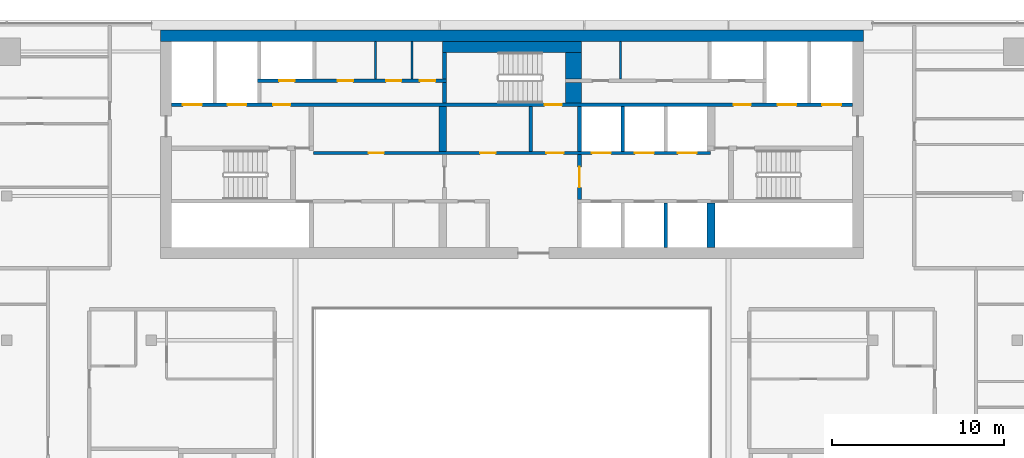
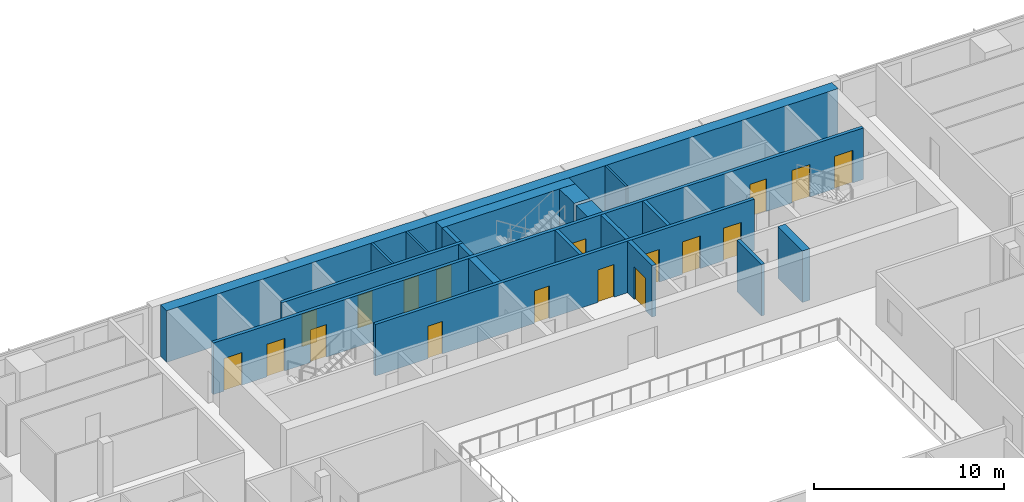
# One storey, part 22 of 29: 19 walls, 18 doors, 18 openings.
"""IFC4 building model written with IfcOpenShell, lengths in metres."""

from ifc_helpers import new_model, si_unit, direction, frame, frame_2d, origin, place, context, subcontext, project, spatial, rectangle, extrude, material, layer, layer_set, type_object, element, fill, save


model = new_model("IFC4")

# Units and contexts
model_context = context("Model", 3, precision=1e-05, world=origin(), true_north=direction((0.0, 1.0)))
body_context = subcontext(model_context, "Body", "Model", "MODEL_VIEW")
ifc_project = project(units=[si_unit("LENGTHUNIT", "METRE"), si_unit("AREAUNIT", "SQUARE_METRE"), si_unit("VOLUMEUNIT", "CUBIC_METRE"), si_unit("PLANEANGLEUNIT", "RADIAN"), si_unit("MASSUNIT", "GRAM", prefix="KILO")], contexts=[model_context])

# Site, building, storey
site_placement = place(None, origin())
site = spatial("IfcSite", under=ifc_project, at=site_placement, CompositionType="ELEMENT")
building_placement = place(site_placement, origin())
building = spatial("IfcBuilding", under=site, at=building_placement, Name="Saffron Gate Tower", CompositionType="ELEMENT")
storey_placement = place(building_placement, frame((0.0, 0.0, 219.89990234375)))
storey = spatial("IfcBuildingStorey", under=building, at=storey_placement, Name="L53", CompositionType="ELEMENT", Elevation=219.89990234375)

# Wall
ifc_material_1 = material(Name="Gypsum board partition on steel studs", Category="steel")
ifc_layer_1 = layer(ifc_material_1, 0.199951171875)
ifc_layer_set_1 = layer_set([ifc_layer_1], Name="CW10 Core partition 200")
wall_type_1 = type_object("IfcWallType", Name="CW10 Core partition 200", PredefinedType="PARTITIONING", material=ifc_layer_set_1)
wall_1_placement = place(storey_placement, frame((88.699951171875, 68.0, 0.0), z_axis=(0.0, 0.0, 1.0), x_axis=(0.0, 1.0, 0.0)))
element("IfcWall", 1, at=wall_1_placement, inside=storey, type_object=wall_type_1, Name="Wall CW10-L53-21", PredefinedType="PARTITIONING", context=body_context, shape_type="SweptSolid", body=[
    extrude(rectangle(XDim=2.60009765625, YDim=0.199951171875, at=frame_2d((1.300048828125, 0.0))), origin(), (0.0, 0.0, 1.0), 3.320068359375),
])

# Wall, opening, door
ifc_material_2 = material(Name="Concrete C60", Category="concrete")
ifc_layer_2 = layer(ifc_material_2, 0.25)
ifc_layer_set_2 = layer_set([ifc_layer_2], Name="CW14 RC core wall 250 C60")
wall_type_2 = type_object("IfcWallType", Name="CW14 RC core wall 250 C60", PredefinedType="SOLIDWALL", material=ifc_layer_set_2)
wall_2_placement = place(storey_placement, frame((91.52490234375, 65.199951171875, 0.0), z_axis=(0.0, 0.0, 1.0), x_axis=(0.0, 1.0, 0.0)))
wall_2 = element("IfcWall", 2, at=wall_2_placement, inside=storey, type_object=wall_type_2, Name="Wall CW14-L53-17", PredefinedType="SOLIDWALL", context=body_context, shape_type="SweptSolid", body=[
    extrude(rectangle(XDim=2.60009765625, YDim=0.25, at=frame_2d((1.300048828125, 0.0))), origin(), (0.0, 0.0, 1.0), 3.320068359375),
])
opening_1_placement = place(wall_2_placement, frame((0.699951171875, 0.0, 0.0)))
opening_1 = element("IfcOpeningElement", 3, at=opening_1_placement, cuts=wall_2, Name="Opening CR-01", PredefinedType="OPENING", context=body_context, shape_type="SweptSolid", body=[
    extrude(rectangle(XDim=1.199951171875, YDim=2.10009765625, at=frame_2d((0.60009765625, 1.050048828125))), frame((0.0, 0.135009765625, 0.0), z_axis=(0.0, -1.0, 0.0), x_axis=(1.0, 0.0, 0.0)), (0.0, 0.0, 1.0), 0.27001953125),
])
ifc_material_3 = material(Name="Steel fire door set", Category="steel")
door_type_1 = type_object("IfcDoorType", Name="CD3 Lobby door 1200x2100 EI 120", OperationType="NOTDEFINED", PredefinedType="DOOR", material=ifc_material_3)
door_1_placement = place(opening_1_placement, origin())
door_1 = element("IfcDoor", 4, at=door_1_placement, inside=storey, type_object=door_type_1, Name="DOOR CR-01", OperationType="SINGLE_SWING_RIGHT", OverallHeight=2.10009765625, OverallWidth=1.199951171875, PredefinedType="DOOR", context=body_context, shape_type="SweptSolid", body=[
    extrude(rectangle(XDim=1.199951171875, YDim=2.10009765625, at=frame_2d((0.60009765625, 1.050048828125))), frame((0.0, 0.02490234375, 0.0), z_axis=(0.0, -1.0, 0.0), x_axis=(1.0, 0.0, 0.0)), (0.0, 0.0, 1.0), 0.050048828125),
])
fill(opening_1, door_1)

# Walls
wall_3_placement = place(storey_placement, frame((91.52490234375, 68.0, 0.0), z_axis=(0.0, 0.0, 1.0), x_axis=(0.0, 1.0, 0.0)))
element("IfcWall", 5, at=wall_3_placement, inside=storey, type_object=wall_type_2, Name="Wall CW14-L53-22", PredefinedType="SOLIDWALL", context=body_context, shape_type="SweptSolid", body=[
    extrude(rectangle(XDim=2.60009765625, YDim=0.25, at=frame_2d((1.300048828125, 0.0))), origin(), (0.0, 0.0, 1.0), 3.320068359375),
])
wall_4_placement = place(storey_placement, frame((83.675048828125, 70.800048828125, 0.0), z_axis=(0.0, 0.0, 1.0), x_axis=(0.0, 1.0, 0.0)))
element("IfcWall", 6, at=wall_4_placement, inside=storey, type_object=wall_type_2, Name="Wall CW14-L53-33", PredefinedType="SOLIDWALL", context=body_context, shape_type="SweptSolid", body=[
    extrude(rectangle(XDim=1.199951171875, YDim=0.25, at=frame_2d((0.60009765625, 0.0))), origin(), (0.0, 0.0, 1.0), 3.320068359375),
])
wall_5_placement = place(storey_placement, frame((83.675048828125, 72.199951171875, 0.0), z_axis=(0.0, 0.0, 1.0), x_axis=(0.0, 1.0, 0.0)))
element("IfcWall", 7, at=wall_5_placement, inside=storey, type_object=wall_type_2, Name="Wall CW14-L53-43", PredefinedType="SOLIDWALL", context=body_context, shape_type="SweptSolid", body=[
    extrude(rectangle(XDim=1.550048828125, YDim=0.25, at=frame_2d((0.77490234375, 0.0))), origin(), (0.0, 0.0, 1.0), 3.320068359375),
])
ifc_layer_3 = layer(ifc_material_2, 0.199951171875)
ifc_layer_set_3 = layer_set([ifc_layer_3], Name="CW15 RC core wall 200 C60")
wall_type_3 = type_object("IfcWallType", Name="CW15 RC core wall 200 C60", PredefinedType="SOLIDWALL", material=ifc_layer_set_3)
wall_6_placement = place(storey_placement, frame((96.550048828125, 62.39990234375, 0.0), z_axis=(0.0, 0.0, 1.0), x_axis=(0.0, 1.0, 0.0)))
element("IfcWall", 8, at=wall_6_placement, inside=storey, type_object=wall_type_3, Name="Wall CW15-L53-11", PredefinedType="SOLIDWALL", context=body_context, shape_type="SweptSolid", body=[
    extrude(rectangle(XDim=2.60009765625, YDim=0.199951171875, at=frame_2d((1.300048828125, 0.0))), origin(), (0.0, 0.0, 1.0), 3.320068359375),
])

# Wall, openings, doors
wall_7_placement = place(storey_placement, frame((76.050048828125, 67.89990234375, 0.0), z_axis=(0.0, 0.0, 1.0), x_axis=(1.0, 0.0, 0.0)))
wall_7 = element("IfcWall", 9, at=wall_7_placement, inside=storey, type_object=wall_type_3, Name="Wall CW15-L53-19", PredefinedType="SOLIDWALL", context=body_context, shape_type="SweptSolid", body=[
    extrude(rectangle(XDim=23.099853515625, YDim=0.199951171875, at=frame_2d((11.5498046875, 0.0))), origin(), (0.0, 0.0, 1.0), 3.320068359375),
])
opening_2_placement = place(wall_7_placement, frame((3.199951171875, 0.0, 0.0)))
opening_2 = element("IfcOpeningElement", 10, at=opening_2_placement, cuts=wall_7, Name="Opening CR-61", PredefinedType="OPENING", context=body_context, shape_type="SweptSolid", body=[
    extrude(rectangle(XDim=0.89990234375, YDim=2.10009765625, at=frame_2d((0.449951171875, 1.050048828125))), frame((0.0, 0.10986328125, 0.0), z_axis=(0.0, -1.0, 0.0), x_axis=(1.0, 0.0, 0.0)), (0.0, 0.0, 1.0), 0.219970703125),
])
opening_3_placement = place(wall_7_placement, frame((9.699951171875, 0.0, 0.0)))
opening_3 = element("IfcOpeningElement", 11, at=opening_3_placement, cuts=wall_7, Name="Opening CR-67", PredefinedType="OPENING", context=body_context, shape_type="SweptSolid", body=[
    extrude(rectangle(XDim=0.89990234375, YDim=2.10009765625, at=frame_2d((0.449951171875, 1.050048828125))), frame((0.0, 0.10986328125, 0.0), z_axis=(0.0, -1.0, 0.0), x_axis=(1.0, 0.0, 0.0)), (0.0, 0.0, 1.0), 0.219970703125),
])
opening_4_placement = place(wall_7_placement, frame((13.550048828125, 0.0, 0.0)))
opening_4 = element("IfcOpeningElement", 12, at=opening_4_placement, cuts=wall_7, Name="Opening CR-02", PredefinedType="OPENING", context=body_context, shape_type="SweptSolid", body=[
    extrude(rectangle(XDim=1.0, YDim=2.10009765625, at=frame_2d((0.5, 1.050048828125))), frame((0.0, 0.10986328125, 0.0), z_axis=(0.0, -1.0, 0.0), x_axis=(1.0, 0.0, 0.0)), (0.0, 0.0, 1.0), 0.219970703125),
])
opening_5_placement = place(wall_7_placement, frame((16.199951171875, 0.0, 0.0)))
opening_5 = element("IfcOpeningElement", 13, at=opening_5_placement, cuts=wall_7, Name="Opening LD-HR4", PredefinedType="OPENING", context=body_context, shape_type="SweptSolid", body=[
    extrude(rectangle(XDim=1.10009765625, YDim=2.10009765625, at=frame_2d((0.550048828125, 1.050048828125))), frame((0.0, 0.10986328125, 0.0), z_axis=(0.0, -1.0, 0.0), x_axis=(1.0, 0.0, 0.0)), (0.0, 0.0, 1.0), 0.219970703125),
])
opening_6_placement = place(wall_7_placement, frame((18.699951171875, 0.0, 0.0)))
opening_6 = element("IfcOpeningElement", 14, at=opening_6_placement, cuts=wall_7, Name="Opening LD-HR5", PredefinedType="OPENING", context=body_context, shape_type="SweptSolid", body=[
    extrude(rectangle(XDim=1.10009765625, YDim=2.10009765625, at=frame_2d((0.550048828125, 1.050048828125))), frame((0.0, 0.10986328125, 0.0), z_axis=(0.0, -1.0, 0.0), x_axis=(1.0, 0.0, 0.0)), (0.0, 0.0, 1.0), 0.219970703125),
])
opening_7_placement = place(wall_7_placement, frame((21.199951171875, 0.0, 0.0)))
opening_7 = element("IfcOpeningElement", 15, at=opening_7_placement, cuts=wall_7, Name="Opening LD-HR6", PredefinedType="OPENING", context=body_context, shape_type="SweptSolid", body=[
    extrude(rectangle(XDim=1.10009765625, YDim=2.10009765625, at=frame_2d((0.550048828125, 1.050048828125))), frame((0.0, 0.10986328125, 0.0), z_axis=(0.0, -1.0, 0.0), x_axis=(1.0, 0.0, 0.0)), (0.0, 0.0, 1.0), 0.219970703125),
])
door_type_2 = type_object("IfcDoorType", Name="CD4 Lobby door 1000x2100 EI 120", OperationType="NOTDEFINED", PredefinedType="DOOR", material=ifc_material_3)
door_2_placement = place(opening_4_placement, origin())
door_2 = element("IfcDoor", 16, at=door_2_placement, inside=storey, type_object=door_type_2, Name="DOOR CR-02", OperationType="SINGLE_SWING_LEFT", OverallHeight=2.10009765625, OverallWidth=1.0, PredefinedType="DOOR", context=body_context, shape_type="SweptSolid", body=[
    extrude(rectangle(XDim=1.0, YDim=2.10009765625, at=frame_2d((0.5, 1.050048828125))), frame((0.0, 0.02490234375, 0.0), z_axis=(0.0, -1.0, 0.0), x_axis=(1.0, 0.0, 0.0)), (0.0, 0.0, 1.0), 0.050048828125),
])
fill(opening_4, door_2)
door_type_3 = type_object("IfcDoorType", Name="CD9 Room door 900x2100 EI 60", OperationType="NOTDEFINED", PredefinedType="DOOR", material=ifc_material_3)
door_3_placement = place(opening_2_placement, origin())
door_3 = element("IfcDoor", 17, at=door_3_placement, inside=storey, type_object=door_type_3, Name="DOOR CR-61", OperationType="SINGLE_SWING_LEFT", OverallHeight=2.10009765625, OverallWidth=0.89990234375, PredefinedType="DOOR", context=body_context, shape_type="SweptSolid", body=[
    extrude(rectangle(XDim=0.89990234375, YDim=2.10009765625, at=frame_2d((0.449951171875, 1.050048828125))), frame((0.0, 0.02490234375, 0.0), z_axis=(0.0, -1.0, 0.0), x_axis=(1.0, 0.0, 0.0)), (0.0, 0.0, 1.0), 0.050048828125),
])
fill(opening_2, door_3)
door_4_placement = place(opening_3_placement, origin())
door_4 = element("IfcDoor", 18, at=door_4_placement, inside=storey, type_object=door_type_3, Name="DOOR CR-67", OperationType="SINGLE_SWING_LEFT", OverallHeight=2.10009765625, OverallWidth=0.89990234375, PredefinedType="DOOR", context=body_context, shape_type="SweptSolid", body=[
    extrude(rectangle(XDim=0.89990234375, YDim=2.10009765625, at=frame_2d((0.449951171875, 1.050048828125))), frame((0.0, 0.02490234375, 0.0), z_axis=(0.0, -1.0, 0.0), x_axis=(1.0, 0.0, 0.0)), (0.0, 0.0, 1.0), 0.050048828125),
])
fill(opening_3, door_4)
ifc_material_4 = material(Name="Stainless steel landing door", Category="steel")
door_type_4 = type_object("IfcDoorType", Name="LD Lift landing door 1100x2100 EI 120", OperationType="SLIDING_TO_LEFT", PredefinedType="DOOR", material=ifc_material_4)
door_5_placement = place(opening_5_placement, origin())
door_5 = element("IfcDoor", 19, at=door_5_placement, inside=storey, type_object=door_type_4, Name="LANDING DOOR LD-HR4", OperationType="SLIDING_TO_RIGHT", OverallHeight=2.10009765625, OverallWidth=1.10009765625, PredefinedType="DOOR", context=body_context, shape_type="SweptSolid", body=[
    extrude(rectangle(XDim=1.10009765625, YDim=2.10009765625, at=frame_2d((0.550048828125, 1.050048828125))), frame((0.0, 0.02490234375, 0.0), z_axis=(0.0, -1.0, 0.0), x_axis=(1.0, 0.0, 0.0)), (0.0, 0.0, 1.0), 0.050048828125),
])
fill(opening_5, door_5)
door_6_placement = place(opening_6_placement, origin())
door_6 = element("IfcDoor", 20, at=door_6_placement, inside=storey, type_object=door_type_4, Name="LANDING DOOR LD-HR5", OperationType="SLIDING_TO_RIGHT", OverallHeight=2.10009765625, OverallWidth=1.10009765625, PredefinedType="DOOR", context=body_context, shape_type="SweptSolid", body=[
    extrude(rectangle(XDim=1.10009765625, YDim=2.10009765625, at=frame_2d((0.550048828125, 1.050048828125))), frame((0.0, 0.02490234375, 0.0), z_axis=(0.0, -1.0, 0.0), x_axis=(1.0, 0.0, 0.0)), (0.0, 0.0, 1.0), 0.050048828125),
])
fill(opening_6, door_6)
door_7_placement = place(opening_7_placement, origin())
door_7 = element("IfcDoor", 21, at=door_7_placement, inside=storey, type_object=door_type_4, Name="LANDING DOOR LD-HR6", OperationType="SLIDING_TO_RIGHT", OverallHeight=2.10009765625, OverallWidth=1.10009765625, PredefinedType="DOOR", context=body_context, shape_type="SweptSolid", body=[
    extrude(rectangle(XDim=1.10009765625, YDim=2.10009765625, at=frame_2d((0.550048828125, 1.050048828125))), frame((0.0, 0.02490234375, 0.0), z_axis=(0.0, -1.0, 0.0), x_axis=(1.0, 0.0, 0.0)), (0.0, 0.0, 1.0), 0.050048828125),
])
fill(opening_7, door_7)

# Wall
wall_8_placement = place(storey_placement, frame((94.050048828125, 68.0, 0.0), z_axis=(0.0, 0.0, 1.0), x_axis=(0.0, 1.0, 0.0)))
element("IfcWall", 22, at=wall_8_placement, inside=storey, type_object=wall_type_3, Name="Wall CW15-L53-23", PredefinedType="SOLIDWALL", context=body_context, shape_type="SweptSolid", body=[
    extrude(rectangle(XDim=2.60009765625, YDim=0.199951171875, at=frame_2d((1.300048828125, 0.0))), origin(), (0.0, 0.0, 1.0), 3.320068359375),
])

# Wall, openings, doors
wall_9_placement = place(storey_placement, frame((67.800048828125, 70.699951171875, 0.0), z_axis=(0.0, 0.0, 1.0), x_axis=(1.0, 0.0, 0.0)))
wall_9 = element("IfcWall", 23, at=wall_9_placement, inside=storey, type_object=wall_type_3, Name="Wall CW15-L53-30", PredefinedType="SOLIDWALL", context=body_context, shape_type="SweptSolid", body=[
    extrude(rectangle(XDim=39.599853515625, YDim=0.199951171875, at=frame_2d((19.7998046875, 0.0))), origin(), (0.0, 0.0, 1.0), 3.320068359375),
])
opening_8_placement = place(wall_9_placement, frame((0.64990234375, 0.0, 0.0)))
opening_8 = element("IfcOpeningElement", 24, at=opening_8_placement, cuts=wall_9, Name="Opening LD-FF1", PredefinedType="OPENING", context=body_context, shape_type="SweptSolid", body=[
    extrude(rectangle(XDim=1.10009765625, YDim=2.10009765625, at=frame_2d((0.550048828125, 1.050048828125))), frame((0.0, 0.10986328125, 0.0), z_axis=(0.0, -1.0, 0.0), x_axis=(1.0, 0.0, 0.0)), (0.0, 0.0, 1.0), 0.219970703125),
])
opening_9_placement = place(wall_9_placement, frame((3.25, 0.0, 0.0)))
opening_9 = element("IfcOpeningElement", 25, at=opening_9_placement, cuts=wall_9, Name="Opening LD-SV1", PredefinedType="OPENING", context=body_context, shape_type="SweptSolid", body=[
    extrude(rectangle(XDim=1.10009765625, YDim=2.10009765625, at=frame_2d((0.550048828125, 1.050048828125))), frame((0.0, 0.10986328125, 0.0), z_axis=(0.0, -1.0, 0.0), x_axis=(1.0, 0.0, 0.0)), (0.0, 0.0, 1.0), 0.219970703125),
])
opening_10_placement = place(wall_9_placement, frame((5.89990234375, 0.0, 0.0)))
opening_10 = element("IfcOpeningElement", 26, at=opening_10_placement, cuts=wall_9, Name="Opening CR-03", PredefinedType="OPENING", context=body_context, shape_type="SweptSolid", body=[
    extrude(rectangle(XDim=1.0, YDim=2.10009765625, at=frame_2d((0.5, 1.050048828125))), frame((0.0, 0.10986328125, 0.0), z_axis=(0.0, -1.0, 0.0), x_axis=(1.0, 0.0, 0.0)), (0.0, 0.0, 1.0), 0.219970703125),
])
opening_11_placement = place(wall_9_placement, frame((21.699951171875, 0.0, 0.0)))
opening_11 = element("IfcOpeningElement", 27, at=opening_11_placement, cuts=wall_9, Name="Opening CR-17", PredefinedType="OPENING", context=body_context, shape_type="SweptSolid", body=[
    extrude(rectangle(XDim=1.0, YDim=2.10009765625, at=frame_2d((0.5, 1.050048828125))), frame((0.0, 0.10986328125, 0.0), z_axis=(0.0, -1.0, 0.0), x_axis=(1.0, 0.0, 0.0)), (0.0, 0.0, 1.0), 0.219970703125),
])
opening_12_placement = place(wall_9_placement, frame((32.699951171875, 0.0, 0.0)))
opening_12 = element("IfcOpeningElement", 28, at=opening_12_placement, cuts=wall_9, Name="Opening CR-04", PredefinedType="OPENING", context=body_context, shape_type="SweptSolid", body=[
    extrude(rectangle(XDim=1.0, YDim=2.10009765625, at=frame_2d((0.5, 1.050048828125))), frame((0.0, 0.10986328125, 0.0), z_axis=(0.0, -1.0, 0.0), x_axis=(1.0, 0.0, 0.0)), (0.0, 0.0, 1.0), 0.219970703125),
])
opening_13_placement = place(wall_9_placement, frame((35.25, 0.0, 0.0)))
opening_13 = element("IfcOpeningElement", 29, at=opening_13_placement, cuts=wall_9, Name="Opening LD-SV2", PredefinedType="OPENING", context=body_context, shape_type="SweptSolid", body=[
    extrude(rectangle(XDim=1.10009765625, YDim=2.10009765625, at=frame_2d((0.550048828125, 1.050048828125))), frame((0.0, 0.10986328125, 0.0), z_axis=(0.0, -1.0, 0.0), x_axis=(1.0, 0.0, 0.0)), (0.0, 0.0, 1.0), 0.219970703125),
])
opening_14_placement = place(wall_9_placement, frame((37.85009765625, 0.0, 0.0)))
opening_14 = element("IfcOpeningElement", 30, at=opening_14_placement, cuts=wall_9, Name="Opening LD-FF2", PredefinedType="OPENING", context=body_context, shape_type="SweptSolid", body=[
    extrude(rectangle(XDim=1.10009765625, YDim=2.10009765625, at=frame_2d((0.550048828125, 1.050048828125))), frame((0.0, 0.10986328125, 0.0), z_axis=(0.0, -1.0, 0.0), x_axis=(1.0, 0.0, 0.0)), (0.0, 0.0, 1.0), 0.219970703125),
])
door_8_placement = place(opening_10_placement, origin())
door_8 = element("IfcDoor", 31, at=door_8_placement, inside=storey, type_object=door_type_2, Name="DOOR CR-03", OperationType="SINGLE_SWING_LEFT", OverallHeight=2.10009765625, OverallWidth=1.0, PredefinedType="DOOR", context=body_context, shape_type="SweptSolid", body=[
    extrude(rectangle(XDim=1.0, YDim=2.10009765625, at=frame_2d((0.5, 1.050048828125))), frame((0.0, 0.02490234375, 0.0), z_axis=(0.0, -1.0, 0.0), x_axis=(1.0, 0.0, 0.0)), (0.0, 0.0, 1.0), 0.050048828125),
])
fill(opening_10, door_8)
door_9_placement = place(opening_12_placement, origin())
door_9 = element("IfcDoor", 32, at=door_9_placement, inside=storey, type_object=door_type_2, Name="DOOR CR-04", OperationType="SINGLE_SWING_RIGHT", OverallHeight=2.10009765625, OverallWidth=1.0, PredefinedType="DOOR", context=body_context, shape_type="SweptSolid", body=[
    extrude(rectangle(XDim=1.0, YDim=2.10009765625, at=frame_2d((0.5, 1.050048828125))), frame((0.0, 0.02490234375, 0.0), z_axis=(0.0, -1.0, 0.0), x_axis=(1.0, 0.0, 0.0)), (0.0, 0.0, 1.0), 0.050048828125),
])
fill(opening_12, door_9)
door_type_5 = type_object("IfcDoorType", Name="CD5 Stair door 1000x2100 EI 120", OperationType="NOTDEFINED", PredefinedType="DOOR", material=ifc_material_3)
door_10_placement = place(opening_11_placement, origin())
door_10 = element("IfcDoor", 33, at=door_10_placement, inside=storey, type_object=door_type_5, Name="DOOR CR-17", OperationType="SINGLE_SWING_RIGHT", OverallHeight=2.10009765625, OverallWidth=1.0, PredefinedType="DOOR", context=body_context, shape_type="SweptSolid", body=[
    extrude(rectangle(XDim=1.0, YDim=2.10009765625, at=frame_2d((0.5, 1.050048828125))), frame((0.0, 0.02490234375, 0.0), z_axis=(0.0, -1.0, 0.0), x_axis=(1.0, 0.0, 0.0)), (0.0, 0.0, 1.0), 0.050048828125),
])
fill(opening_11, door_10)
door_11_placement = place(opening_8_placement, origin())
door_11 = element("IfcDoor", 34, at=door_11_placement, inside=storey, type_object=door_type_4, Name="LANDING DOOR LD-FF1", OperationType="SLIDING_TO_RIGHT", OverallHeight=2.10009765625, OverallWidth=1.10009765625, PredefinedType="DOOR", context=body_context, shape_type="SweptSolid", body=[
    extrude(rectangle(XDim=1.10009765625, YDim=2.10009765625, at=frame_2d((0.550048828125, 1.050048828125))), frame((0.0, 0.02490234375, 0.0), z_axis=(0.0, -1.0, 0.0), x_axis=(1.0, 0.0, 0.0)), (0.0, 0.0, 1.0), 0.050048828125),
])
fill(opening_8, door_11)
door_12_placement = place(opening_9_placement, origin())
door_12 = element("IfcDoor", 35, at=door_12_placement, inside=storey, type_object=door_type_4, Name="LANDING DOOR LD-SV1", OperationType="SLIDING_TO_RIGHT", OverallHeight=2.10009765625, OverallWidth=1.10009765625, PredefinedType="DOOR", context=body_context, shape_type="SweptSolid", body=[
    extrude(rectangle(XDim=1.10009765625, YDim=2.10009765625, at=frame_2d((0.550048828125, 1.050048828125))), frame((0.0, 0.02490234375, 0.0), z_axis=(0.0, -1.0, 0.0), x_axis=(1.0, 0.0, 0.0)), (0.0, 0.0, 1.0), 0.050048828125),
])
fill(opening_9, door_12)
door_13_placement = place(opening_13_placement, origin())
door_13 = element("IfcDoor", 36, at=door_13_placement, inside=storey, type_object=door_type_4, Name="LANDING DOOR LD-SV2", OperationType="SLIDING_TO_RIGHT", OverallHeight=2.10009765625, OverallWidth=1.10009765625, PredefinedType="DOOR", context=body_context, shape_type="SweptSolid", body=[
    extrude(rectangle(XDim=1.10009765625, YDim=2.10009765625, at=frame_2d((0.550048828125, 1.050048828125))), frame((0.0, 0.02490234375, 0.0), z_axis=(0.0, -1.0, 0.0), x_axis=(1.0, 0.0, 0.0)), (0.0, 0.0, 1.0), 0.050048828125),
])
fill(opening_13, door_13)
door_14_placement = place(opening_14_placement, origin())
door_14 = element("IfcDoor", 37, at=door_14_placement, inside=storey, type_object=door_type_4, Name="LANDING DOOR LD-FF2", OperationType="SLIDING_TO_RIGHT", OverallHeight=2.10009765625, OverallWidth=1.10009765625, PredefinedType="DOOR", context=body_context, shape_type="SweptSolid", body=[
    extrude(rectangle(XDim=1.10009765625, YDim=2.10009765625, at=frame_2d((0.550048828125, 1.050048828125))), frame((0.0, 0.02490234375, 0.0), z_axis=(0.0, -1.0, 0.0), x_axis=(1.0, 0.0, 0.0)), (0.0, 0.0, 1.0), 0.050048828125),
])
fill(opening_14, door_14)

wall_10_placement = place(storey_placement, frame((72.800048828125, 72.10009765625, 0.0), z_axis=(0.0, 0.0, 1.0), x_axis=(1.0, 0.0, 0.0)))
wall_10 = element("IfcWall", 38, at=wall_10_placement, inside=storey, type_object=wall_type_3, Name="Wall CW15-L53-37", PredefinedType="SOLIDWALL", context=body_context, shape_type="SweptSolid", body=[
    extrude(rectangle(XDim=11.0, YDim=0.199951171875, at=frame_2d((5.5, 0.0))), origin(), (0.0, 0.0, 1.0), 3.320068359375),
])
opening_15_placement = place(wall_10_placement, frame((1.25, 0.0, 0.0)))
opening_15 = element("IfcOpeningElement", 39, at=opening_15_placement, cuts=wall_10, Name="Opening CR-71", PredefinedType="OPENING", context=body_context, shape_type="SweptSolid", body=[
    extrude(rectangle(XDim=0.89990234375, YDim=2.10009765625, at=frame_2d((0.449951171875, 1.050048828125))), frame((0.0, 0.10986328125, 0.0), z_axis=(0.0, -1.0, 0.0), x_axis=(1.0, 0.0, 0.0)), (0.0, 0.0, 1.0), 0.219970703125),
])
opening_16_placement = place(wall_10_placement, frame((4.64990234375, 0.0, 0.0)))
opening_16 = element("IfcOpeningElement", 40, at=opening_16_placement, cuts=wall_10, Name="Opening CR-55", PredefinedType="OPENING", context=body_context, shape_type="SweptSolid", body=[
    extrude(rectangle(XDim=0.89990234375, YDim=2.10009765625, at=frame_2d((0.449951171875, 1.050048828125))), frame((0.0, 0.10986328125, 0.0), z_axis=(0.0, -1.0, 0.0), x_axis=(1.0, 0.0, 0.0)), (0.0, 0.0, 1.0), 0.219970703125),
])
opening_17_placement = place(wall_10_placement, frame((7.469970703125, 0.0, 0.0)))
opening_17 = element("IfcOpeningElement", 41, at=opening_17_placement, cuts=wall_10, Name="Opening CR-58", PredefinedType="OPENING", context=body_context, shape_type="SweptSolid", body=[
    extrude(rectangle(XDim=0.89990234375, YDim=2.10009765625, at=frame_2d((0.449951171875, 1.050048828125))), frame((0.0, 0.10986328125, 0.0), z_axis=(0.0, -1.0, 0.0), x_axis=(1.0, 0.0, 0.0)), (0.0, 0.0, 1.0), 0.219970703125),
])
opening_18_placement = place(wall_10_placement, frame((9.445068359375, 0.0, 0.0)))
opening_18 = element("IfcOpeningElement", 42, at=opening_18_placement, cuts=wall_10, Name="Opening CR-59", PredefinedType="OPENING", context=body_context, shape_type="SweptSolid", body=[
    extrude(rectangle(XDim=0.89990234375, YDim=2.10009765625, at=frame_2d((0.449951171875, 1.050048828125))), frame((0.0, 0.10986328125, 0.0), z_axis=(0.0, -1.0, 0.0), x_axis=(1.0, 0.0, 0.0)), (0.0, 0.0, 1.0), 0.219970703125),
])
door_type_6 = type_object("IfcDoorType", Name="CD2 Riser door 900x2100 EI 60", OperationType="NOTDEFINED", PredefinedType="DOOR", material=ifc_material_3)
door_15_placement = place(opening_15_placement, origin())
door_15 = element("IfcDoor", 43, at=door_15_placement, inside=storey, type_object=door_type_6, Name="DOOR CR-71", OperationType="SINGLE_SWING_LEFT", OverallHeight=2.10009765625, OverallWidth=0.89990234375, PredefinedType="DOOR", context=body_context, shape_type="SweptSolid", body=[
    extrude(rectangle(XDim=0.89990234375, YDim=2.10009765625, at=frame_2d((0.449951171875, 1.050048828125))), frame((0.0, 0.02490234375, 0.0), z_axis=(0.0, -1.0, 0.0), x_axis=(1.0, 0.0, 0.0)), (0.0, 0.0, 1.0), 0.050048828125),
])
fill(opening_15, door_15)
door_16_placement = place(opening_16_placement, origin())
door_16 = element("IfcDoor", 44, at=door_16_placement, inside=storey, type_object=door_type_3, Name="DOOR CR-55", OperationType="SINGLE_SWING_LEFT", OverallHeight=2.10009765625, OverallWidth=0.89990234375, PredefinedType="DOOR", context=body_context, shape_type="SweptSolid", body=[
    extrude(rectangle(XDim=0.89990234375, YDim=2.10009765625, at=frame_2d((0.449951171875, 1.050048828125))), frame((0.0, 0.02490234375, 0.0), z_axis=(0.0, -1.0, 0.0), x_axis=(1.0, 0.0, 0.0)), (0.0, 0.0, 1.0), 0.050048828125),
])
fill(opening_16, door_16)
door_17_placement = place(opening_17_placement, origin())
door_17 = element("IfcDoor", 45, at=door_17_placement, inside=storey, type_object=door_type_3, Name="DOOR CR-58", OperationType="SINGLE_SWING_LEFT", OverallHeight=2.10009765625, OverallWidth=0.89990234375, PredefinedType="DOOR", context=body_context, shape_type="SweptSolid", body=[
    extrude(rectangle(XDim=0.89990234375, YDim=2.10009765625, at=frame_2d((0.449951171875, 1.050048828125))), frame((0.0, 0.02490234375, 0.0), z_axis=(0.0, -1.0, 0.0), x_axis=(1.0, 0.0, 0.0)), (0.0, 0.0, 1.0), 0.050048828125),
])
fill(opening_17, door_17)
door_18_placement = place(opening_18_placement, origin())
door_18 = element("IfcDoor", 46, at=door_18_placement, inside=storey, type_object=door_type_3, Name="DOOR CR-59", OperationType="SINGLE_SWING_LEFT", OverallHeight=2.10009765625, OverallWidth=0.89990234375, PredefinedType="DOOR", context=body_context, shape_type="SweptSolid", body=[
    extrude(rectangle(XDim=0.89990234375, YDim=2.10009765625, at=frame_2d((0.449951171875, 1.050048828125))), frame((0.0, 0.02490234375, 0.0), z_axis=(0.0, -1.0, 0.0), x_axis=(1.0, 0.0, 0.0)), (0.0, 0.0, 1.0), 0.050048828125),
])
fill(opening_18, door_18)

# Walls
ifc_layer_4 = layer(ifc_material_2, 0.449951171875)
ifc_layer_set_4 = layer_set([ifc_layer_4], Name="CW16 RC core wall 450 C60")
wall_type_4 = type_object("IfcWallType", Name="CW16 RC core wall 450 C60", PredefinedType="SOLIDWALL", material=ifc_layer_set_4)
for number, where, z_axis, x_axis, name in (
    (47, (99.175048828125, 62.39990234375, 0.0), (0.0, 0.0, 1.0), (0.0, 1.0, 0.0), "Wall CW16-L53-12"),
    (48, (83.574951171875, 68.0, 0.0), (0.0, 0.0, 1.0), (0.0, 1.0, 0.0), "Wall CW16-L53-20"),
):
    element("IfcWall", number, at=place(storey_placement, frame(where, z_axis=z_axis, x_axis=x_axis)), inside=storey, type_object=wall_type_4, Name=name, PredefinedType="SOLIDWALL", context=body_context, shape_type="SweptSolid", body=[
        extrude(rectangle(XDim=2.60009765625, YDim=0.449951171875, at=frame_2d((1.300048828125, 0.0))), origin(), (0.0, 0.0, 1.0), 3.320068359375),
    ])
ifc_layer_5 = layer(ifc_material_2, 0.949951171875)
ifc_layer_set_5 = layer_set([ifc_layer_5], Name="CW19 RC core wall 950 C60")
wall_type_5 = type_object("IfcWallType", Name="CW19 RC core wall 950 C60", PredefinedType="SOLIDWALL", material=ifc_layer_set_5)
wall_11_placement = place(storey_placement, frame((91.175048828125, 70.800048828125, 0.0), z_axis=(0.0, 0.0, 1.0), x_axis=(0.0, 1.0, 0.0)))
element("IfcWall", 49, at=wall_11_placement, inside=storey, type_object=wall_type_5, Name="Wall CW19-L53-34", PredefinedType="SOLIDWALL", context=body_context, shape_type="SweptSolid", body=[
    extrude(rectangle(XDim=1.199951171875, YDim=0.949951171875, at=frame_2d((0.60009765625, 0.0))), origin(), (0.0, 0.0, 1.0), 3.320068359375),
])
wall_12_placement = place(storey_placement, frame((91.175048828125, 72.199951171875, 0.0), z_axis=(0.0, 0.0, 1.0), x_axis=(0.0, 1.0, 0.0)))
element("IfcWall", 50, at=wall_12_placement, inside=storey, type_object=wall_type_5, Name="Wall CW19-L53-44", PredefinedType="SOLIDWALL", context=body_context, shape_type="SweptSolid", body=[
    extrude(rectangle(XDim=1.550048828125, YDim=0.949951171875, at=frame_2d((0.77490234375, 0.0))), origin(), (0.0, 0.0, 1.0), 3.320068359375),
])
ifc_layer_6 = layer(ifc_material_2, 0.64990234375)
ifc_layer_set_6 = layer_set([ifc_layer_6], Name="CW20 RC core wall 650 C60")
wall_type_6 = type_object("IfcWallType", Name="CW20 RC core wall 650 C60", PredefinedType="SOLIDWALL", material=ifc_layer_set_6)
wall_13_placement = place(storey_placement, frame((67.14990234375, 74.72509765625, 0.0), z_axis=(0.0, 0.0, 1.0), x_axis=(1.0, 0.0, 0.0)))
element("IfcWall", 51, at=wall_13_placement, inside=storey, type_object=wall_type_6, Name="Wall CW20-L53-2", PredefinedType="SOLIDWALL", context=body_context, shape_type="SweptSolid", body=[
    extrude(rectangle(XDim=40.900146484375, YDim=0.64990234375, at=frame_2d((20.4501953125, 0.0))), origin(), (0.0, 0.0, 1.0), 3.320068359375),
])
wall_14_placement = place(storey_placement, frame((83.550048828125, 74.074951171875, 0.0), z_axis=(0.0, 0.0, 1.0), x_axis=(1.0, 0.0, 0.0)))
element("IfcWall", 52, at=wall_14_placement, inside=storey, type_object=wall_type_6, Name="Wall CW20-L53-48", PredefinedType="SOLIDWALL", context=body_context, shape_type="SweptSolid", body=[
    extrude(rectangle(XDim=8.099853515625, YDim=0.64990234375, at=frame_2d((4.0498046875, 0.0))), origin(), (0.0, 0.0, 1.0), 3.320068359375),
])
ifc_layer_7 = layer(ifc_material_1, 0.1201171875)
ifc_layer_set_7 = layer_set([ifc_layer_7], Name="CW8 Core partition 120")
wall_type_7 = type_object("IfcWallType", Name="CW8 Core partition 120", PredefinedType="PARTITIONING", material=ifc_layer_set_7)
for number, where, z_axis, x_axis, name in (
    (53, (79.659912109375, 72.199951171875, 0.0), (0.0, 0.0, 1.0), (0.0, 1.0, 0.0), "Wall CW8-L53-41"),
    (54, (81.780029296875, 72.199951171875, 0.0), (0.0, 0.0, 1.0), (0.0, 1.0, 0.0), "Wall CW8-L53-42"),
    (55, (93.909912109375, 72.199951171875, 0.0), (0.0, 0.0, 1.0), (0.0, 1.0, 0.0), "Wall CW8-L53-45"),
):
    element("IfcWall", number, at=place(storey_placement, frame(where, z_axis=z_axis, x_axis=x_axis)), inside=storey, type_object=wall_type_7, Name=name, PredefinedType="PARTITIONING", context=body_context, shape_type="SweptSolid", body=[
        extrude(rectangle(XDim=2.199951171875, YDim=0.1201171875, at=frame_2d((1.10009765625, 0.0))), origin(), (0.0, 0.0, 1.0), 3.320068359375),
    ])

save(model, "model.ifc")
